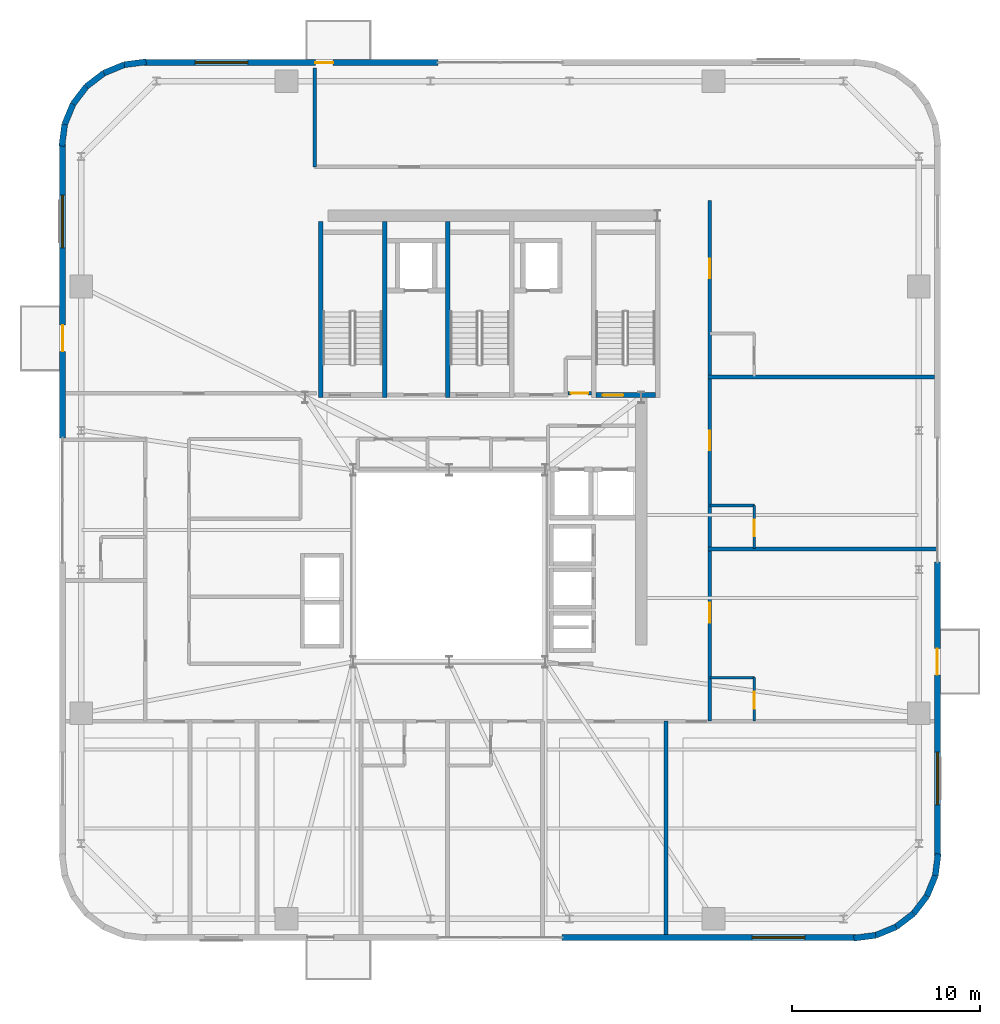
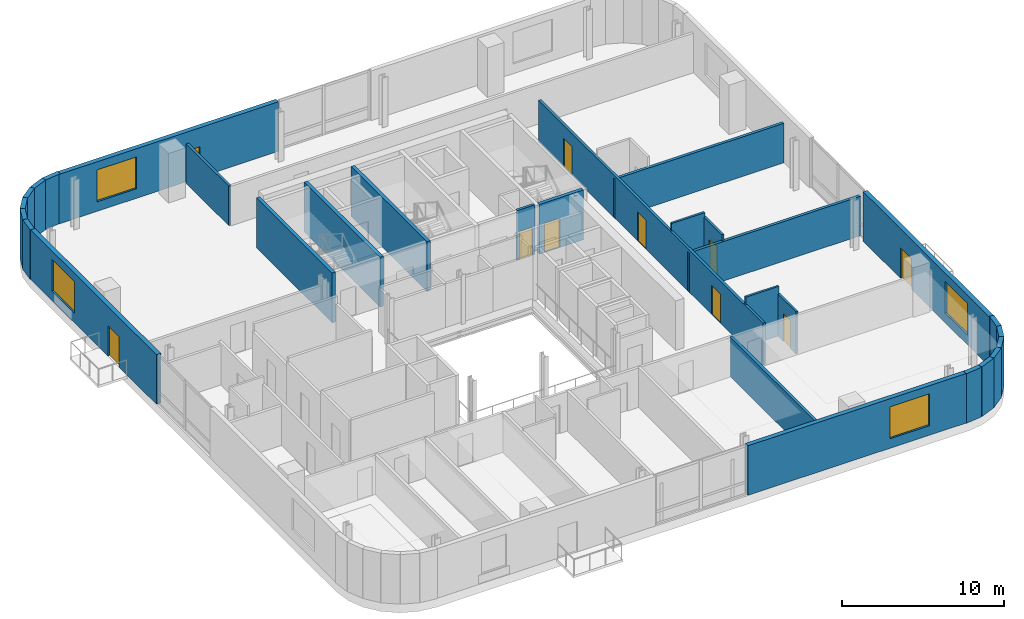
# One storey, part 10 of 15: 30 walls, 10 doors, 4 windows, 14 openings.
"""IFC4 building model written with IfcOpenShell, lengths in metres."""

import ifcopenshell
import ifcopenshell.guid

model = None  # the IFC model being written
_history = None  # IfcOwnerHistory: only IFC2X3 demands one
_inside = {}  # id of a spatial element -> (the spatial element, [elements in it])
_under = {}  # id of a project, library or spatial element -> (it, [spatial elements below it])
_declared = {}  # id of a project -> (the project, [libraries it declares])
_typed = {}  # id of a type object -> (the type object, [elements of that type])
_made_of = {}  # id of a material, layer set ... -> (it, [elements and type objects made of it])


def new_model(schema):
    """Start an empty IFC model of exactly this schema.

    Asked for "IFC4X3", IfcOpenShell would pick the latest addendum, in which some entities
    have other attributes; the version numbers below select the first issue.
    IFC2X3 requires an IfcOwnerHistory on every rooted entity: one is made here for all.
    """
    global model, _history
    if schema == "IFC4X3":
        model = ifcopenshell.file(schema_version=(4, 3, 0, 0))
    else:
        model = ifcopenshell.file(schema=schema)
    _inside.clear()
    _under.clear()
    _declared.clear()
    _typed.clear()
    _made_of.clear()
    _history = None
    if model.schema == "IFC2X3":
        org = make("IfcOrganization", Name="unknown")
        user = make(
            "IfcPersonAndOrganization",
            ThePerson=make("IfcPerson", FamilyName="unknown"),
            TheOrganization=org,
        )
        app = make(
            "IfcApplication",
            ApplicationDeveloper=org,
            Version="unknown",
            ApplicationFullName="unknown",
            ApplicationIdentifier="unknown",
        )
        _history = make(
            "IfcOwnerHistory",
            OwningUser=user,
            OwningApplication=app,
            ChangeAction="ADDED",
            CreationDate=0,
        )
    return model


def make(cls, **values):
    """One entity of the class cls with the attributes given. An attribute that is None is left unset."""
    return model.create_entity(
        cls, **{name: value for name, value in values.items() if value is not None}
    )


def rooted(cls, **values):
    """An entity with a GlobalId (a new one), such as an element, a storey or a relation."""
    return make(cls, GlobalId=ifcopenshell.guid.new(), OwnerHistory=_history, **values)


def si_unit(unit_type, name, prefix=None):
    """IfcSIUnit, for example si_unit("LENGTHUNIT", "METRE", prefix="MILLI")."""
    return make("IfcSIUnit", UnitType=unit_type, Prefix=prefix, Name=name)


def assignment(units):
    """IfcUnitAssignment: the units of a project."""
    return None if units is None else make("IfcUnitAssignment", Units=units)


def point(xyz):
    """IfcCartesianPoint."""
    return None if xyz is None else make("IfcCartesianPoint", Coordinates=xyz)


def direction(xyz):
    """IfcDirection."""
    return None if xyz is None else make("IfcDirection", DirectionRatios=xyz)


def frame(location, z_axis=None, x_axis=None):
    """IfcAxis2Placement3D, a coordinate frame: its origin and axes. An axis left out is left unset."""
    return make(
        "IfcAxis2Placement3D",
        Location=point(location),
        Axis=direction(z_axis),
        RefDirection=direction(x_axis),
    )


def frame_2d(location, x_axis=None):
    """IfcAxis2Placement2D, a coordinate frame in the plane: its origin and x axis."""
    return make(
        "IfcAxis2Placement2D", Location=point(location), RefDirection=direction(x_axis)
    )


def origin():
    """The frame at (0, 0, 0) with its axes left unset."""
    return frame((0.0, 0.0, 0.0))


def place(relative_to, where):
    """IfcLocalPlacement: puts the frame where relative to a parent placement (None: the world)."""
    return make(
        "IfcLocalPlacement", PlacementRelTo=relative_to, RelativePlacement=where
    )


def context(
    kind, dimensions, precision=None, world=None, true_north=None, identifier=None
):
    """IfcGeometricRepresentationContext, for example the 3D "Model" context."""
    return make(
        "IfcGeometricRepresentationContext",
        ContextIdentifier=identifier,
        ContextType=kind,
        CoordinateSpaceDimension=dimensions,
        Precision=precision,
        WorldCoordinateSystem=world,
        TrueNorth=true_north,
    )


def subcontext(parent, identifier, kind, view, scale=None):
    """IfcGeometricRepresentationSubContext, for example "Body" below "Model"."""
    return make(
        "IfcGeometricRepresentationSubContext",
        ContextIdentifier=identifier,
        ContextType=kind,
        ParentContext=parent,
        TargetScale=scale,
        TargetView=view,
    )


def project(units=None, contexts=None):
    """IfcProject with its units and contexts."""
    return rooted(
        "IfcProject",
        Name="project",
        RepresentationContexts=contexts,
        UnitsInContext=assignment(units),
    )


def spatial(cls, under=None, at=None, **own):
    """A site, building, storey or space (cls), placed at a placement, below another one or the project."""
    s = rooted(cls, ObjectPlacement=at, **own)
    if under is not None:
        _under.setdefault(under.id(), (under, []))[1].append(s)
    return s


def profile(cls, at=None, kind="AREA", **sizes):
    """A parametric profile (cls). Its sizes go by their IFC names, for example OverallWidth=200.0."""
    return make(cls, ProfileType=kind, Position=at, **sizes)


def rectangle(**sizes):
    """IfcRectangleProfileDef."""
    return profile("IfcRectangleProfileDef", **sizes)


def extrude(swept, where, along, depth):
    """IfcExtrudedAreaSolid: the profile swept, set in the frame where, extruded along a direction by depth."""
    return make(
        "IfcExtrudedAreaSolid",
        SweptArea=swept,
        Position=where,
        ExtrudedDirection=direction(along),
        Depth=depth,
    )


def shape(context_of_items, identifier, shape_type, items):
    """IfcShapeRepresentation: the items that make up one representation, for example the "Body"."""
    return make(
        "IfcShapeRepresentation",
        ContextOfItems=context_of_items,
        RepresentationIdentifier=identifier,
        RepresentationType=shape_type,
        Items=items,
    )


def source(mapping_origin, context_of_items, identifier, shape_type, items):
    """IfcRepresentationMap: a shape defined once, which mapped items show again and again."""
    return make(
        "IfcRepresentationMap",
        MappingOrigin=mapping_origin,
        MappedRepresentation=shape(context_of_items, identifier, shape_type, items),
    )


def transform(
    local_origin,
    x_axis=None,
    y_axis=None,
    z_axis=None,
    scale=None,
    scale2=None,
    scale3=None,
    uniform=True,
):
    """IfcCartesianTransformationOperator3D, or its non-uniform kind. x_axis, y_axis, z_axis: its Axis1, 2, 3."""
    if uniform:
        return make(
            "IfcCartesianTransformationOperator3D",
            Axis1=direction(x_axis),
            Axis2=direction(y_axis),
            LocalOrigin=point(local_origin),
            Scale=scale,
            Axis3=direction(z_axis),
        )
    return make(
        "IfcCartesianTransformationOperator3DnonUniform",
        Axis1=direction(x_axis),
        Axis2=direction(y_axis),
        LocalOrigin=point(local_origin),
        Scale=scale,
        Axis3=direction(z_axis),
        Scale2=scale2,
        Scale3=scale3,
    )


def mapped(mapping_source, mapping_target):
    """IfcMappedItem: shows the shape of a source again, moved by a transform."""
    return make(
        "IfcMappedItem", MappingSource=mapping_source, MappingTarget=mapping_target
    )


def material(Name=None, Category=None):
    """IfcMaterial."""
    return make("IfcMaterial", Name=Name, Category=Category)


def layer(
    of_material, thickness, ventilated=None, Name=None, Category=None, Priority=None
):
    """IfcMaterialLayer: one layer of a wall or slab, of a material (None: an air gap)."""
    return make(
        "IfcMaterialLayer",
        Material=of_material,
        LayerThickness=thickness,
        IsVentilated=ventilated,
        Name=Name,
        Category=Category,
        Priority=Priority,
    )


def layer_set(layers, Name=None):
    """IfcMaterialLayerSet."""
    return make("IfcMaterialLayerSet", MaterialLayers=layers, LayerSetName=Name)


def made_of(thing, what):
    """Note that an element or type object is made of a material, layer set ...; save() writes the relation."""
    if what is not None:
        _made_of.setdefault(what.id(), (what, []))[1].append(thing)
    return thing


def type_object(cls, material=None, **own):
    """A type object (cls), such as IfcWallType, which elements share."""
    return made_of(rooted(cls, **own), material)


def element(
    cls,
    number,
    at=None,
    inside=None,
    cuts=None,
    type_object=None,
    material=None,
    context=None,
    identifier="Body",
    shape_type=None,
    held_by="IfcProductDefinitionShape",
    body=None,
    shapes=None,
    **own,
):
    """One element of the class cls, such as IfcWall. Its Tag is "e" and its number.

    at: its placement. inside: the storey or other place that contains it. cuts: it is an
    opening in that element (IfcRelVoidsElement). A single representation is given by context,
    identifier, shape_type and body (its items); several are given by shapes. held_by: the class
    of the entity that holds the representations. save() writes the other relations.
    """
    e = rooted(cls, Tag="e%d" % number, ObjectPlacement=at, **own)
    if body is not None:
        shapes = [shape(context, identifier, shape_type, body)]
    if shapes is not None:
        e.Representation = make(held_by, Representations=shapes)
    if inside is not None:
        _inside.setdefault(inside.id(), (inside, []))[1].append(e)
    if cuts is not None:
        rooted(
            "IfcRelVoidsElement", RelatingBuildingElement=cuts, RelatedOpeningElement=e
        )
    if type_object is not None:
        _typed.setdefault(type_object.id(), (type_object, []))[1].append(e)
    return made_of(e, material)


def fill(opening, filler):
    """IfcRelFillsElement: the door or window that sits in an opening."""
    return rooted(
        "IfcRelFillsElement",
        RelatingOpeningElement=opening,
        RelatedBuildingElement=filler,
    )


def aggregate(whole, parts):
    """IfcRelAggregates: a whole, such as a stair, and the parts it consists of."""
    return rooted("IfcRelAggregates", RelatingObject=whole, RelatedObjects=parts)


def save(model, path):
    """Write the relations noted so far, then the file.

    IfcRelAggregates (storeys below a building ...), IfcRelContainedInSpatialStructure (elements
    in a storey), IfcRelDefinesByType, IfcRelAssociatesMaterial and IfcRelDeclares: one each for
    every whole, place, type object, material and project.
    """
    for whole, parts in _under.values():
        aggregate(whole, parts)
    for where, things in _inside.values():
        rooted(
            "IfcRelContainedInSpatialStructure",
            RelatedElements=things,
            RelatingStructure=where,
        )
    for kind, things in _typed.values():
        rooted("IfcRelDefinesByType", RelatedObjects=things, RelatingType=kind)
    for what, things in _made_of.values():
        rooted("IfcRelAssociatesMaterial", RelatedObjects=things, RelatingMaterial=what)
    for by, libraries in _declared.values():
        rooted("IfcRelDeclares", RelatingContext=by, RelatedDefinitions=libraries)
    model.write(path)


model = new_model("IFC4")

# Units and contexts
model_context = context("Model", 3, precision=1e-05, world=origin(), true_north=direction((0.0, 1.0)))
body_context = subcontext(model_context, "Body", "Model", "MODEL_VIEW")
ifc_project = project(units=[si_unit("LENGTHUNIT", "METRE"), si_unit("AREAUNIT", "SQUARE_METRE"), si_unit("VOLUMEUNIT", "CUBIC_METRE"), si_unit("PLANEANGLEUNIT", "RADIAN"), si_unit("MASSUNIT", "GRAM", prefix="KILO")], contexts=[model_context])

# Site, building, storey
site_placement = place(None, origin())
site = spatial("IfcSite", under=ifc_project, at=site_placement, CompositionType="ELEMENT")
building_placement = place(site_placement, origin())
building = spatial("IfcBuilding", under=site, at=building_placement, Name="Vardaveli Station Tower", CompositionType="ELEMENT")
storey_placement = place(building_placement, frame((0.0, 0.0, 242.699951171875)))
storey = spatial("IfcBuildingStorey", under=building, at=storey_placement, Name="L62", CompositionType="ELEMENT", Elevation=242.699951171875)

# Wall, opening, window
ifc_material_1 = material(Name="Precast concrete C45/55", Category="concrete")
ifc_layer_1 = layer(ifc_material_1, 0.320068359375, Name="Precast concrete C45/55")
ifc_layer_set_1 = layer_set([ifc_layer_1], Name="Precast concrete C45/55")
wall_type_1 = type_object("IfcWallType", Name="WAL-EXT-STONE-320", PredefinedType="SOLIDWALL", material=ifc_layer_set_1)
shared_shape_1 = source(origin(), body_context, "Body", "SweptSolid", [
    extrude(rectangle(XDim=15.599853515625, YDim=0.320068359375, at=frame_2d((7.7998046875, 0.0))), origin(), (0.0, 0.0, 1.0), 3.72998046875),
])
wall_1_placement = place(storey_placement, frame((42.300048828125, 1.9599609375, 0.0), z_axis=(0.0, 0.0, 1.0), x_axis=(1.0, 0.0, 0.0)))
wall_1 = element("IfcWall", 1, at=wall_1_placement, inside=storey, type_object=wall_type_1, Name="EW-L62-S2", PredefinedType="SOLIDWALL", context=body_context, shape_type="MappedRepresentation", body=[
    mapped(shared_shape_1, transform((0.0, 0.0, 0.0), scale=1.0)),
])
shared_shape_2 = source(origin(), body_context, "Body", "SweptSolid", [
    extrude(rectangle(XDim=2.800048828125, YDim=2.39990234375, at=frame_2d((1.39990234375, 1.199951171875))), frame((0.0, 0.169921875, 0.0), z_axis=(0.0, -1.0, 0.0), x_axis=(1.0, 0.0, 0.0)), (0.0, 0.0, 1.0), 0.340087890625),
])
opening_1_placement = place(wall_1_placement, frame((10.094970703125, 0.0, 0.719970703125)))
opening_1 = element("IfcOpeningElement", 2, at=opening_1_placement, cuts=wall_1, Name="Opening W-04", PredefinedType="OPENING", context=body_context, shape_type="MappedRepresentation", body=[
    mapped(shared_shape_2, transform((0.0, 0.0, 0.0), scale=1.0)),
])
ifc_material_2 = material(Name="Low-E solar-control glass", Category="glass")
window_type = type_object("IfcWindowType", Name="WIN-SUITE-2800x2400", PartitioningType="SINGLE_PANEL", PredefinedType="WINDOW", material=ifc_material_2)
shared_shape_3 = source(origin(), body_context, "Body", "SweptSolid", [
    extrude(rectangle(XDim=2.800048828125, YDim=2.39990234375, at=frame_2d((1.39990234375, 1.199951171875))), frame((0.0, 0.030029296875, 0.0), z_axis=(0.0, -1.0, 0.0), x_axis=(1.0, 0.0, 0.0)), (0.0, 0.0, 1.0), 0.06005859375),
])
window_1_placement = place(opening_1_placement, origin())
window_1 = element("IfcWindow", 3, at=window_1_placement, inside=storey, type_object=window_type, Name="WN-L62-S2", OverallHeight=2.39990234375, OverallWidth=2.800048828125, PartitioningType="SINGLE_PANEL", PredefinedType="WINDOW", context=body_context, shape_type="MappedRepresentation", body=[
    mapped(shared_shape_3, transform((0.0, 0.0, 0.0), scale=1.0)),
])
fill(opening_1, window_1)

# Wall, openings, window, door
wall_2_placement = place(storey_placement, frame((35.699951171875, 48.43994140625, 0.0), z_axis=(0.0, 0.0, 1.0), x_axis=(-1.0, 0.0, 0.0)))
wall_2 = element("IfcWall", 4, at=wall_2_placement, inside=storey, type_object=wall_type_1, Name="EW-L62-N2", PredefinedType="SOLIDWALL", context=body_context, shape_type="MappedRepresentation", body=[
    mapped(shared_shape_1, transform((0.0, 0.0, 0.0), scale=1.0)),
])
shared_shape_4 = source(origin(), body_context, "Body", "SweptSolid", [
    extrude(rectangle(XDim=0.949951171875, YDim=2.300048828125, at=frame_2d((0.47509765625, 1.14990234375))), frame((0.0, 0.169921875, 0.0), z_axis=(0.0, -1.0, 0.0), x_axis=(1.0, 0.0, 0.0)), (0.0, 0.0, 1.0), 0.340087890625),
])
opening_2_placement = place(wall_2_placement, frame((5.564697265625, 0.0, 0.0)))
opening_2 = element("IfcOpeningElement", 5, at=opening_2_placement, cuts=wall_2, Name="Opening D-10", PredefinedType="OPENING", context=body_context, shape_type="MappedRepresentation", body=[
    mapped(shared_shape_4, transform((0.0, 0.0, 0.0), scale=1.0)),
])
opening_3_placement = place(wall_2_placement, frame((10.094970703125, 0.0, 0.719970703125)))
opening_3 = element("IfcOpeningElement", 6, at=opening_3_placement, cuts=wall_2, Name="Opening W-04", PredefinedType="OPENING", context=body_context, shape_type="MappedRepresentation", body=[
    mapped(shared_shape_2, transform((0.0, 0.0, 0.0), scale=1.0)),
])
window_2_placement = place(opening_3_placement, origin())
window_2 = element("IfcWindow", 7, at=window_2_placement, inside=storey, type_object=window_type, Name="WN-L62-N2", OverallHeight=2.39990234375, OverallWidth=2.800048828125, PartitioningType="SINGLE_PANEL", PredefinedType="WINDOW", context=body_context, shape_type="MappedRepresentation", body=[
    mapped(shared_shape_3, transform((0.0, 0.0, 0.0), scale=1.0)),
])
fill(opening_3, window_2)
ifc_material_3 = material(Name="Thermally broken aluminium glass", Category="aluminium")
door_type_1 = type_object("IfcDoorType", Name="DR-LOG-950x2300", OperationType="NOTDEFINED", PredefinedType="DOOR", material=ifc_material_3)
shared_shape_5 = source(origin(), body_context, "Body", "SweptSolid", [
    extrude(rectangle(XDim=0.949951171875, YDim=2.300048828125, at=frame_2d((0.47509765625, 1.14990234375))), frame((0.0, 0.02490234375, 0.0), z_axis=(0.0, -1.0, 0.0), x_axis=(1.0, 0.0, 0.0)), (0.0, 0.0, 1.0), 0.050048828125),
])
door_1_placement = place(opening_2_placement, frame((0.949951171875, 0.0, 0.0), z_axis=(0.0, 0.0, 1.0), x_axis=(-1.0, 0.0, 0.0)))
door_1 = element("IfcDoor", 8, at=door_1_placement, inside=storey, type_object=door_type_1, Name="DLG-L62-N", OperationType="NOTDEFINED", OverallHeight=2.300048828125, OverallWidth=0.949951171875, PredefinedType="DOOR", context=body_context, shape_type="MappedRepresentation", body=[
    mapped(shared_shape_5, transform((0.0, 0.0, 0.0), scale=1.0)),
])
fill(opening_2, door_1)

# Wall, openings, door, window
wall_3_placement = place(storey_placement, frame((62.239990234375, 6.300048828125, 0.0), z_axis=(0.0, 0.0, 1.0), x_axis=(0.0, 1.0, 0.0)))
wall_3 = element("IfcWall", 9, at=wall_3_placement, inside=storey, type_object=wall_type_1, Name="EW-L62-E1", PredefinedType="SOLIDWALL", context=body_context, shape_type="MappedRepresentation", body=[
    mapped(shared_shape_1, transform((0.0, 0.0, 0.0), scale=1.0)),
])
shared_shape_6 = source(origin(), body_context, "Body", "SweptSolid", [
    extrude(rectangle(XDim=1.39990234375, YDim=2.300048828125, at=frame_2d((0.699951171875, 1.14990234375))), frame((0.0, 0.169921875, 0.0), z_axis=(0.0, -1.0, 0.0), x_axis=(1.0, 0.0, 0.0)), (0.0, 0.0, 1.0), 0.340087890625),
])
opening_4_placement = place(wall_3_placement, frame((9.6103515625, 0.0, 0.0)))
opening_4 = element("IfcOpeningElement", 10, at=opening_4_placement, cuts=wall_3, Name="Opening D-09", PredefinedType="OPENING", context=body_context, shape_type="MappedRepresentation", body=[
    mapped(shared_shape_6, transform((0.0, 0.0, 0.0), scale=1.0)),
])
opening_5_placement = place(wall_3_placement, frame((2.705078125, 0.0, 0.719970703125)))
opening_5 = element("IfcOpeningElement", 11, at=opening_5_placement, cuts=wall_3, Name="Opening W-04", PredefinedType="OPENING", context=body_context, shape_type="MappedRepresentation", body=[
    mapped(shared_shape_2, transform((0.0, 0.0, 0.0), scale=1.0)),
])
door_type_2 = type_object("IfcDoorType", Name="DR-LOG-1400x2300", OperationType="DOUBLE_DOOR_SLIDING", PredefinedType="DOOR", material=ifc_material_3)
shared_shape_7 = source(origin(), body_context, "Body", "SweptSolid", [
    extrude(rectangle(XDim=1.39990234375, YDim=2.300048828125, at=frame_2d((0.699951171875, 1.14990234375))), frame((0.0, 0.02490234375, 0.0), z_axis=(0.0, -1.0, 0.0), x_axis=(1.0, 0.0, 0.0)), (0.0, 0.0, 1.0), 0.050048828125),
])
door_2_placement = place(opening_4_placement, frame((1.39990234375, 0.0, 0.0), z_axis=(0.0, 0.0, 1.0), x_axis=(-1.0, 0.0, 0.0)))
door_2 = element("IfcDoor", 12, at=door_2_placement, inside=storey, type_object=door_type_2, Name="DLG-L62-E", OperationType="DOUBLE_DOOR_SLIDING", OverallHeight=2.300048828125, OverallWidth=1.39990234375, PredefinedType="DOOR", context=body_context, shape_type="MappedRepresentation", body=[
    mapped(shared_shape_7, transform((0.0, 0.0, 0.0), scale=1.0)),
])
fill(opening_4, door_2)
window_3_placement = place(opening_5_placement, origin())
window_3 = element("IfcWindow", 13, at=window_3_placement, inside=storey, type_object=window_type, Name="WN-L62-E1", OverallHeight=2.39990234375, OverallWidth=2.800048828125, PartitioningType="SINGLE_PANEL", PredefinedType="WINDOW", context=body_context, shape_type="MappedRepresentation", body=[
    mapped(shared_shape_3, transform((0.0, 0.0, 0.0), scale=1.0)),
])
fill(opening_5, window_3)

shared_shape_8 = source(origin(), body_context, "Body", "SweptSolid", [
    extrude(rectangle(XDim=15.60009765625, YDim=0.320068359375, at=frame_2d((7.800048828125, 0.0))), origin(), (0.0, 0.0, 1.0), 3.72998046875),
])
wall_4_placement = place(storey_placement, frame((15.760009765625, 44.10009765625, 0.0), z_axis=(0.0, 0.0, 1.0), x_axis=(0.0, -1.0, 0.0)))
wall_4 = element("IfcWall", 14, at=wall_4_placement, inside=storey, type_object=wall_type_1, Name="EW-L62-W1", PredefinedType="SOLIDWALL", context=body_context, shape_type="MappedRepresentation", body=[
    mapped(shared_shape_8, transform((0.0, 0.0, 0.0), scale=1.0)),
])
opening_6_placement = place(wall_4_placement, frame((9.6103515625, 0.0, 0.0)))
opening_6 = element("IfcOpeningElement", 15, at=opening_6_placement, cuts=wall_4, Name="Opening D-09", PredefinedType="OPENING", context=body_context, shape_type="MappedRepresentation", body=[
    mapped(shared_shape_6, transform((0.0, 0.0, 0.0), scale=1.0)),
])
opening_7_placement = place(wall_4_placement, frame((2.705078125, 0.0, 0.719970703125)))
opening_7 = element("IfcOpeningElement", 16, at=opening_7_placement, cuts=wall_4, Name="Opening W-04", PredefinedType="OPENING", context=body_context, shape_type="MappedRepresentation", body=[
    mapped(shared_shape_2, transform((0.0, 0.0, 0.0), scale=1.0)),
])
door_3_placement = place(opening_6_placement, frame((1.39990234375, 0.0, 0.0), z_axis=(0.0, 0.0, 1.0), x_axis=(-1.0, 0.0, 0.0)))
door_3 = element("IfcDoor", 17, at=door_3_placement, inside=storey, type_object=door_type_2, Name="DLG-L62-W", OperationType="DOUBLE_DOOR_SLIDING", OverallHeight=2.300048828125, OverallWidth=1.39990234375, PredefinedType="DOOR", context=body_context, shape_type="MappedRepresentation", body=[
    mapped(shared_shape_7, transform((0.0, 0.0, 0.0), scale=1.0)),
])
fill(opening_6, door_3)
window_4_placement = place(opening_7_placement, origin())
window_4 = element("IfcWindow", 18, at=window_4_placement, inside=storey, type_object=window_type, Name="WN-L62-W1", OverallHeight=2.39990234375, OverallWidth=2.800048828125, PartitioningType="SINGLE_PANEL", PredefinedType="WINDOW", context=body_context, shape_type="MappedRepresentation", body=[
    mapped(shared_shape_3, transform((0.0, 0.0, 0.0), scale=1.0)),
])
fill(opening_7, window_4)

# Walls
shared_shape_9 = source(origin(), body_context, "Body", "SweptSolid", [
    extrude(rectangle(XDim=1.170654296875, YDim=0.320068359375, at=frame_2d((0.58544921875, 0.0))), origin(), (0.0, 0.0, 1.0), 3.72998046875),
])
wall_5_placement = place(storey_placement, frame((62.12548828125, 5.23974609375, 0.0), z_axis=(0.0, 0.0, 1.0), x_axis=(0.128269133229, 0.991739395941, 0.0)))
element("IfcWall", 19, at=wall_5_placement, inside=storey, type_object=wall_type_1, Name="EW-L62-CR2-6", PredefinedType="SOLIDWALL", context=body_context, shape_type="MappedRepresentation", body=[
    mapped(shared_shape_9, transform((0.0, 0.0, 0.0), scale=1.0)),
])
shared_shape_10 = source(origin(), body_context, "Body", "SweptSolid", [
    extrude(rectangle(XDim=1.1689453125, YDim=0.320068359375, at=frame_2d((0.58447265625, 0.0))), origin(), (0.0, 0.0, 1.0), 3.72998046875),
])
for number, where, z_axis, x_axis, name in (
    (20, (60.96875, 3.231201171875, 0.0), (0.0, 0.0, 1.0), (0.608387696831, 0.793639975269, 0.0), "EW-L62-CR2-4"),
    (21, (61.679931640625, 4.158935546875, 0.0), (0.0, 0.0, 1.0), (0.381127904695, 0.924522320046, 0.0), "EW-L62-CR2-5"),
    (22, (17.03125, 47.1689453125, 0.0), (0.0, 0.0, 1.0), (-0.608387696831, -0.793639975269, 0.0), "EW-L62-CR4-4"),
):
    element("IfcWall", number, at=place(storey_placement, frame(where, z_axis=z_axis, x_axis=x_axis)), inside=storey, type_object=wall_type_1, Name=name, PredefinedType="SOLIDWALL", context=body_context, shape_type="MappedRepresentation", body=[
        mapped(shared_shape_10, transform((0.0, 0.0, 0.0), scale=1.0)),
    ])
shared_shape_11 = source(origin(), body_context, "Body", "SweptSolid", [
    extrude(rectangle(XDim=1.168701171875, YDim=0.320068359375, at=frame_2d((0.58447265625, 0.0))), origin(), (0.0, 0.0, 1.0), 3.72998046875),
])
for number, where, z_axis, x_axis, name in (
    (23, (60.041259765625, 2.520263671875, 0.0), (0.0, 0.0, 1.0), (0.793663520347, 0.608356981114, 0.0), "EW-L62-CR2-3"),
    (24, (17.958740234375, 47.8798828125, 0.0), (0.0, 0.0, 1.0), (-0.793663520347, -0.608356981114, 0.0), "EW-L62-CR4-3"),
):
    element("IfcWall", number, at=place(storey_placement, frame(where, z_axis=z_axis, x_axis=x_axis)), inside=storey, type_object=wall_type_1, Name=name, PredefinedType="SOLIDWALL", context=body_context, shape_type="MappedRepresentation", body=[
        mapped(shared_shape_11, transform((0.0, 0.0, 0.0), scale=1.0)),
    ])
shared_shape_12 = source(origin(), body_context, "Body", "SweptSolid", [
    extrude(rectangle(XDim=1.16943359375, YDim=0.320068359375, at=frame_2d((0.584716796875, 0.0))), origin(), (0.0, 0.0, 1.0), 3.72998046875),
])
wall_6_placement = place(storey_placement, frame((58.960205078125, 2.074462890625, 0.0), z_axis=(0.0, 0.0, 1.0), x_axis=(0.924479075121, 0.381232789334, 0.0)))
element("IfcWall", 25, at=wall_6_placement, inside=storey, type_object=wall_type_1, Name="EW-L62-CR2-2", PredefinedType="SOLIDWALL", context=body_context, shape_type="MappedRepresentation", body=[
    mapped(shared_shape_12, transform((0.0, 0.0, 0.0), scale=1.0)),
])
shared_shape_13 = source(origin(), body_context, "Body", "SweptSolid", [
    extrude(rectangle(XDim=1.170166015625, YDim=0.320068359375, at=frame_2d((0.5849609375, 0.0))), origin(), (0.0, 0.0, 1.0), 3.72998046875),
])
wall_7_placement = place(storey_placement, frame((57.799560546875, 1.924560546875, 0.0), z_axis=(0.0, 0.0, 1.0), x_axis=(0.991762485493, 0.128090485085, 0.0)))
element("IfcWall", 26, at=wall_7_placement, inside=storey, type_object=wall_type_1, Name="EW-L62-CR2-1", PredefinedType="SOLIDWALL", context=body_context, shape_type="MappedRepresentation", body=[
    mapped(shared_shape_13, transform((0.0, 0.0, 0.0), scale=1.0)),
])
shared_shape_14 = source(origin(), body_context, "Body", "SweptSolid", [
    extrude(rectangle(XDim=1.17041015625, YDim=0.320068359375, at=frame_2d((0.585205078125, 0.0))), origin(), (0.0, 0.0, 1.0), 3.72998046875),
])
for number, where, z_axis, x_axis, name in (
    (27, (20.200439453125, 48.4755859375, 0.0), (0.0, 0.0, 1.0), (-0.991735963317, -0.128295670475, 0.0), "EW-L62-CR4-1"),
    (28, (15.87451171875, 45.16015625, 0.0), (0.0, 0.0, 1.0), (-0.128295670475, -0.991735963317, 0.0), "EW-L62-CR4-6"),
):
    element("IfcWall", number, at=place(storey_placement, frame(where, z_axis=z_axis, x_axis=x_axis)), inside=storey, type_object=wall_type_1, Name=name, PredefinedType="SOLIDWALL", context=body_context, shape_type="MappedRepresentation", body=[
        mapped(shared_shape_14, transform((0.0, 0.0, 0.0), scale=1.0)),
    ])
shared_shape_15 = source(origin(), body_context, "Body", "SweptSolid", [
    extrude(rectangle(XDim=1.169189453125, YDim=0.320068359375, at=frame_2d((0.58447265625, 0.0))), origin(), (0.0, 0.0, 1.0), 3.72998046875),
])
for number, where, z_axis, x_axis, name in (
    (29, (19.039794921875, 48.325439453125, 0.0), (0.0, 0.0, 1.0), (-0.924552646638, -0.381054331552, 0.0), "EW-L62-CR4-2"),
    (30, (16.320068359375, 46.2412109375, 0.0), (0.0, 0.0, 1.0), (-0.381054331552, -0.924552646638, 0.0), "EW-L62-CR4-5"),
):
    element("IfcWall", number, at=place(storey_placement, frame(where, z_axis=z_axis, x_axis=x_axis)), inside=storey, type_object=wall_type_1, Name=name, PredefinedType="SOLIDWALL", context=body_context, shape_type="MappedRepresentation", body=[
        mapped(shared_shape_15, transform((0.0, 0.0, 0.0), scale=1.0)),
    ])
ifc_material_4 = material(Name="Concrete C40/50", Category="concrete")
ifc_layer_2 = layer(ifc_material_4, 0.25, Name="Concrete C40/50")
ifc_layer_set_2 = layer_set([ifc_layer_2], Name="Concrete C40/50")
wall_type_2 = type_object("IfcWallType", Name="WAL-SHAFT-250", PredefinedType="SOLIDWALL", material=ifc_layer_set_2)
shared_shape_16 = source(origin(), body_context, "Body", "SweptSolid", [
    extrude(rectangle(XDim=9.35009765625, YDim=0.25, at=frame_2d((4.675048828125, 0.0))), origin(), (0.0, 0.0, 1.0), 3.75),
])
for number, where, z_axis, x_axis, name in (
    (31, (29.47509765625, 30.64990234375, 0.0), (0.0, 0.0, 1.0), (0.0, 1.0, 0.0), "W-L62-ST-1W"),
    (32, (32.875, 30.64990234375, 0.0), (0.0, 0.0, 1.0), (0.0, 1.0, 0.0), "W-L62-ST-1E"),
    (33, (36.22509765625, 30.64990234375, 0.0), (0.0, 0.0, 1.0), (0.0, 1.0, 0.0), "W-L62-ST-2W"),
):
    element("IfcWall", number, at=place(storey_placement, frame(where, z_axis=z_axis, x_axis=x_axis)), inside=storey, type_object=wall_type_2, Name=name, PredefinedType="SOLIDWALL", context=body_context, shape_type="MappedRepresentation", body=[
        mapped(shared_shape_16, transform((0.0, 0.0, 0.0), scale=1.0)),
    ])

# Wall, opening, door
shared_shape_17 = source(origin(), body_context, "Body", "SweptSolid", [
    extrude(rectangle(XDim=3.14990234375, YDim=0.25, at=frame_2d((1.574951171875, 0.0))), origin(), (0.0, 0.0, 1.0), 3.75),
])
wall_8_placement = place(storey_placement, frame((44.10009765625, 30.77490234375, 0.0), z_axis=(0.0, 0.0, 1.0), x_axis=(1.0, 0.0, 0.0)))
wall_8 = element("IfcWall", 34, at=wall_8_placement, inside=storey, type_object=wall_type_2, Name="W-L62-ST-3S", PredefinedType="SOLIDWALL", context=body_context, shape_type="MappedRepresentation", body=[
    mapped(shared_shape_17, transform((0.0, 0.0, 0.0), scale=1.0)),
])
shared_shape_18 = source(origin(), body_context, "Body", "SweptSolid", [
    extrude(rectangle(XDim=1.10009765625, YDim=2.199951171875, at=frame_2d((0.550048828125, 1.10009765625))), frame((0.0, 0.135009765625, 0.0), z_axis=(0.0, -1.0, 0.0), x_axis=(1.0, 0.0, 0.0)), (0.0, 0.0, 1.0), 0.27001953125),
])
opening_8_placement = place(wall_8_placement, frame((0.35009765625, 0.0, 0.0)))
opening_8 = element("IfcOpeningElement", 35, at=opening_8_placement, cuts=wall_8, Name="Opening D-04", PredefinedType="OPENING", context=body_context, shape_type="MappedRepresentation", body=[
    mapped(shared_shape_18, transform((0.0, 0.0, 0.0), scale=1.0)),
])
ifc_material_5 = material(Name="Steel smokeproof fire doorset", Category="steel")
door_type_3 = type_object("IfcDoorType", Name="DR-ST-1100x2200", OperationType="NOTDEFINED", PredefinedType="DOOR", material=ifc_material_5)
shared_shape_19 = source(origin(), body_context, "Body", "SweptSolid", [
    extrude(rectangle(XDim=1.10009765625, YDim=2.199951171875, at=frame_2d((0.550048828125, 1.10009765625))), frame((0.0, 0.02490234375, 0.0), z_axis=(0.0, -1.0, 0.0), x_axis=(1.0, 0.0, 0.0)), (0.0, 0.0, 1.0), 0.050048828125),
])
door_4_placement = place(opening_8_placement, origin())
door_4 = element("IfcDoor", 36, at=door_4_placement, inside=storey, type_object=door_type_3, Name="DST-3-L62", OperationType="SINGLE_SWING_LEFT", OverallHeight=2.199951171875, OverallWidth=1.10009765625, PredefinedType="DOOR", context=body_context, shape_type="MappedRepresentation", body=[
    mapped(shared_shape_19, transform((0.0, 0.0, 0.0), scale=1.0)),
])
fill(opening_8, door_4)

# Wall, openings, doors
ifc_material_6 = material(Name="Fire-rated gypsum stud partition")
ifc_layer_3 = layer(ifc_material_6, 0.179931640625, Name="Fire-rated gypsum stud partition")
ifc_layer_set_3 = layer_set([ifc_layer_3], Name="Fire-rated gypsum stud partition")
wall_type_3 = type_object("IfcWallType", Name="WAL-CORR-180", PredefinedType="PARTITIONING", material=ifc_layer_set_3)
shared_shape_20 = source(origin(), body_context, "Body", "SweptSolid", [
    extrude(rectangle(XDim=27.650146484375, YDim=0.179931640625, at=frame_2d((13.8251953125, 0.0))), origin(), (0.0, 0.0, 1.0), 3.172119140625),
])
wall_9_placement = place(storey_placement, frame((50.14990234375, 13.449951171875, 0.0), z_axis=(0.0, 0.0, 1.0), x_axis=(0.0, 1.0, 0.0)))
wall_9 = element("IfcWall", 37, at=wall_9_placement, inside=storey, type_object=wall_type_3, Name="W-L62-CE", PredefinedType="PARTITIONING", context=body_context, shape_type="MappedRepresentation", body=[
    mapped(shared_shape_20, transform((0.0, 0.0, 0.0), scale=1.0)),
])
shared_shape_21 = source(origin(), body_context, "Body", "SweptSolid", [
    extrude(rectangle(XDim=1.050048828125, YDim=2.199951171875, at=frame_2d((0.52490234375, 1.10009765625))), frame((0.0, 0.10009765625, 0.0), z_axis=(0.0, -1.0, 0.0), x_axis=(1.0, 0.0, 0.0)), (0.0, 0.0, 1.0), 0.199951171875),
])
opening_9_placement = place(wall_9_placement, frame((5.23681640625, 0.0, 0.0)))
opening_9 = element("IfcOpeningElement", 38, at=opening_9_placement, cuts=wall_9, Name="Opening D-05", PredefinedType="OPENING", context=body_context, shape_type="MappedRepresentation", body=[
    mapped(shared_shape_21, transform((0.0, 0.0, 0.0), scale=1.0)),
])
opening_10_placement = place(wall_9_placement, frame((14.3798828125, 0.0, 0.0)))
opening_10 = element("IfcOpeningElement", 39, at=opening_10_placement, cuts=wall_9, Name="Opening D-05", PredefinedType="OPENING", context=body_context, shape_type="MappedRepresentation", body=[
    mapped(shared_shape_21, transform((0.0, 0.0, 0.0), scale=1.0)),
])
opening_11_placement = place(wall_9_placement, frame((23.523193359375, 0.0, 0.0)))
opening_11 = element("IfcOpeningElement", 40, at=opening_11_placement, cuts=wall_9, Name="Opening D-05", PredefinedType="OPENING", context=body_context, shape_type="MappedRepresentation", body=[
    mapped(shared_shape_21, transform((0.0, 0.0, 0.0), scale=1.0)),
])
ifc_material_7 = material(Name="Walnut veneer acoustic fire door")
door_type_4 = type_object("IfcDoorType", Name="DR-SUITE-1050x2200", OperationType="NOTDEFINED", PredefinedType="DOOR", material=ifc_material_7)
shared_shape_22 = source(origin(), body_context, "Body", "SweptSolid", [
    extrude(rectangle(XDim=1.050048828125, YDim=2.199951171875, at=frame_2d((0.52490234375, 1.10009765625))), frame((0.0, 0.02490234375, 0.0), z_axis=(0.0, -1.0, 0.0), x_axis=(1.0, 0.0, 0.0)), (0.0, 0.0, 1.0), 0.050048828125),
])
door_5_placement = place(opening_9_placement, origin())
door_5 = element("IfcDoor", 41, at=door_5_placement, inside=storey, type_object=door_type_4, Name="D-L62-GE1", OperationType="SINGLE_SWING_LEFT", OverallHeight=2.199951171875, OverallWidth=1.050048828125, PredefinedType="DOOR", context=body_context, shape_type="MappedRepresentation", body=[
    mapped(shared_shape_22, transform((0.0, 0.0, 0.0), scale=1.0)),
])
fill(opening_9, door_5)
door_6_placement = place(opening_10_placement, origin())
door_6 = element("IfcDoor", 42, at=door_6_placement, inside=storey, type_object=door_type_4, Name="D-L62-GE2", OperationType="SINGLE_SWING_RIGHT", OverallHeight=2.199951171875, OverallWidth=1.050048828125, PredefinedType="DOOR", context=body_context, shape_type="MappedRepresentation", body=[
    mapped(shared_shape_22, transform((0.0, 0.0, 0.0), scale=1.0)),
])
fill(opening_10, door_6)
door_7_placement = place(opening_11_placement, origin())
door_7 = element("IfcDoor", 43, at=door_7_placement, inside=storey, type_object=door_type_4, Name="D-L62-GE3", OperationType="SINGLE_SWING_LEFT", OverallHeight=2.199951171875, OverallWidth=1.050048828125, PredefinedType="DOOR", context=body_context, shape_type="MappedRepresentation", body=[
    mapped(shared_shape_22, transform((0.0, 0.0, 0.0), scale=1.0)),
])
fill(opening_11, door_7)

# Wall, opening, door
ifc_material_8 = material(Name="Moisture-resistant stud partition")
ifc_layer_4 = layer(ifc_material_8, 0.14990234375, Name="Moisture-resistant stud partition")
ifc_layer_set_4 = layer_set([ifc_layer_4], Name="Moisture-resistant stud partition")
wall_type_4 = type_object("IfcWallType", Name="WAL-WET-150", PredefinedType="PARTITIONING", material=ifc_layer_set_4)
shared_shape_23 = source(origin(), body_context, "Body", "SweptSolid", [
    extrude(rectangle(XDim=2.2900390625, YDim=0.14990234375, at=frame_2d((1.14501953125, 0.0))), origin(), (0.0, 0.0, 1.0), 3.172119140625),
])
wall_10_placement = place(storey_placement, frame((52.510009765625, 13.469970703125, 0.0), z_axis=(0.0, 0.0, 1.0), x_axis=(0.0, 1.0, 0.0)))
wall_10 = element("IfcWall", 44, at=wall_10_placement, inside=storey, type_object=wall_type_4, Name="W-L62-BE1-E", PredefinedType="PARTITIONING", context=body_context, shape_type="MappedRepresentation", body=[
    mapped(shared_shape_23, transform((0.0, 0.0, 0.0), scale=1.0)),
])
shared_shape_24 = source(origin(), body_context, "Body", "SweptSolid", [
    extrude(rectangle(XDim=0.89990234375, YDim=2.10009765625, at=frame_2d((0.449951171875, 1.050048828125))), frame((0.0, 0.0849609375, 0.0), z_axis=(0.0, -1.0, 0.0), x_axis=(1.0, 0.0, 0.0)), (0.0, 0.0, 1.0), 0.169921875),
])
opening_12_placement = place(wall_10_placement, frame((0.64990234375, 0.0, 0.0)))
opening_12 = element("IfcOpeningElement", 45, at=opening_12_placement, cuts=wall_10, Name="Opening D-08", PredefinedType="OPENING", context=body_context, shape_type="MappedRepresentation", body=[
    mapped(shared_shape_24, transform((0.0, 0.0, 0.0), scale=1.0)),
])
ifc_material_9 = material(Name="Moisture-resistant oak door")
door_type_5 = type_object("IfcDoorType", Name="DR-BATH-900x2100", OperationType="NOTDEFINED", PredefinedType="DOOR", material=ifc_material_9)
shared_shape_25 = source(origin(), body_context, "Body", "SweptSolid", [
    extrude(rectangle(XDim=0.89990234375, YDim=2.10009765625, at=frame_2d((0.449951171875, 1.050048828125))), frame((0.0, 0.02490234375, 0.0), z_axis=(0.0, -1.0, 0.0), x_axis=(1.0, 0.0, 0.0)), (0.0, 0.0, 1.0), 0.050048828125),
])
door_8_placement = place(opening_12_placement, origin())
door_8 = element("IfcDoor", 46, at=door_8_placement, inside=storey, type_object=door_type_5, Name="D-L62-BE1", OperationType="SINGLE_SWING_LEFT", OverallHeight=2.10009765625, OverallWidth=0.89990234375, PredefinedType="DOOR", context=body_context, shape_type="MappedRepresentation", body=[
    mapped(shared_shape_25, transform((0.0, 0.0, 0.0), scale=1.0)),
])
fill(opening_12, door_8)

shared_shape_26 = source(origin(), body_context, "Body", "SweptSolid", [
    extrude(rectangle(XDim=2.2900390625, YDim=0.14990234375, at=frame_2d((1.14501953125, 0.0))), origin(), (0.0, 0.0, 1.0), 3.422119140625),
])
wall_11_placement = place(storey_placement, frame((52.510009765625, 22.613037109375, 0.0), z_axis=(0.0, 0.0, 1.0), x_axis=(0.0, 1.0, 0.0)))
wall_11 = element("IfcWall", 47, at=wall_11_placement, inside=storey, type_object=wall_type_4, Name="W-L62-BE2-E", PredefinedType="PARTITIONING", context=body_context, shape_type="MappedRepresentation", body=[
    mapped(shared_shape_26, transform((0.0, 0.0, 0.0), scale=1.0)),
])
opening_13_placement = place(wall_11_placement, frame((0.64990234375, 0.0, 0.0)))
opening_13 = element("IfcOpeningElement", 48, at=opening_13_placement, cuts=wall_11, Name="Opening D-08", PredefinedType="OPENING", context=body_context, shape_type="MappedRepresentation", body=[
    mapped(shared_shape_24, transform((0.0, 0.0, 0.0), scale=1.0)),
])
door_9_placement = place(opening_13_placement, origin())
door_9 = element("IfcDoor", 49, at=door_9_placement, inside=storey, type_object=door_type_5, Name="D-L62-BE2", OperationType="SINGLE_SWING_RIGHT", OverallHeight=2.10009765625, OverallWidth=0.89990234375, PredefinedType="DOOR", context=body_context, shape_type="MappedRepresentation", body=[
    mapped(shared_shape_25, transform((0.0, 0.0, 0.0), scale=1.0)),
])
fill(opening_13, door_9)

shared_shape_27 = source(origin(), body_context, "Body", "SweptSolid", [
    extrude(rectangle(XDim=1.247802734375, YDim=0.179931640625, at=frame_2d((0.6240234375, 0.0))), origin(), (0.0, 0.0, 1.0), 3.72998046875),
])
wall_12_placement = place(storey_placement, frame((42.60009765625, 30.8798828125, 0.0), z_axis=(0.0, 0.0, 1.0), x_axis=(1.0, 0.0, 0.0)))
wall_12 = element("IfcWall", 50, at=wall_12_placement, inside=storey, type_object=wall_type_3, Name="W-L62-CBS2A-S", PredefinedType="PARTITIONING", context=body_context, shape_type="MappedRepresentation", body=[
    mapped(shared_shape_27, transform((0.0, 0.0, 0.0), scale=1.0)),
])
shared_shape_28 = source(origin(), body_context, "Body", "SweptSolid", [
    extrude(rectangle(XDim=0.919921875, YDim=2.10009765625, at=frame_2d((0.4599609375, 1.050048828125))), frame((0.0, 0.10009765625, 0.0), z_axis=(0.0, -1.0, 0.0), x_axis=(1.0, 0.0, 0.0)), (0.0, 0.0, 1.0), 0.199951171875),
])
opening_14_placement = place(wall_12_placement, frame((0.1640625, 0.0, 0.0)))
opening_14 = element("IfcOpeningElement", 51, at=opening_14_placement, cuts=wall_12, Name="Opening D-07", PredefinedType="OPENING", context=body_context, shape_type="MappedRepresentation", body=[
    mapped(shared_shape_28, transform((0.0, 0.0, 0.0), scale=1.0)),
])
ifc_material_10 = material(Name="Moisture-resistant hardwood door", Category="wood")
door_type_6 = type_object("IfcDoorType", Name="DR-WC-920x2100", OperationType="NOTDEFINED", PredefinedType="DOOR", material=ifc_material_10)
shared_shape_29 = source(origin(), body_context, "Body", "SweptSolid", [
    extrude(rectangle(XDim=0.919921875, YDim=2.10009765625, at=frame_2d((0.4599609375, 1.050048828125))), frame((0.0, 0.02490234375, 0.0), z_axis=(0.0, -1.0, 0.0), x_axis=(1.0, 0.0, 0.0)), (0.0, 0.0, 1.0), 0.050048828125),
])
door_10_placement = place(opening_14_placement, origin())
door_10 = element("IfcDoor", 52, at=door_10_placement, inside=storey, type_object=door_type_6, Name="D-L62-CBS1", OperationType="SINGLE_SWING_LEFT", OverallHeight=2.10009765625, OverallWidth=0.919921875, PredefinedType="DOOR", context=body_context, shape_type="MappedRepresentation", body=[
    mapped(shared_shape_29, transform((0.0, 0.0, 0.0), scale=1.0)),
])
fill(opening_14, door_10)

# Walls
ifc_material_11 = material(Name="Acoustic twin-stud gypsum partition")
ifc_layer_5 = layer(ifc_material_11, 0.199951171875, Name="Acoustic twin-stud gypsum partition")
ifc_layer_set_5 = layer_set([ifc_layer_5], Name="Acoustic twin-stud gypsum partition")
wall_type_5 = type_object("IfcWallType", Name="WAL-PARTY-200", PredefinedType="PARTITIONING", material=ifc_layer_set_5)
shared_shape_30 = source(origin(), body_context, "Body", "SweptSolid", [
    extrude(rectangle(XDim=12.219970703125, YDim=0.199951171875, at=frame_2d((6.10986328125, 0.0))), origin(), (0.0, 0.0, 1.0), 2.97216796875),
])
wall_13_placement = place(storey_placement, frame((50.050048828125, 22.593017578125, 0.0), z_axis=(0.0, 0.0, 1.0), x_axis=(1.0, 0.0, 0.0)))
element("IfcWall", 53, at=wall_13_placement, inside=storey, type_object=wall_type_5, Name="W-L62-PE1", PredefinedType="PARTITIONING", context=body_context, shape_type="MappedRepresentation", body=[
    mapped(shared_shape_30, transform((0.0, 0.0, 0.0), scale=1.0)),
])
shared_shape_31 = source(origin(), body_context, "Body", "SweptSolid", [
    extrude(rectangle(XDim=12.02783203125, YDim=0.199951171875, at=frame_2d((6.013916015625, 0.0))), origin(), (0.0, 0.0, 1.0), 2.97216796875),
])
wall_14_placement = place(storey_placement, frame((50.050048828125, 31.737060546875, 0.0), z_axis=(0.0, 0.0, 1.0), x_axis=(1.0, 0.0, 0.0)))
element("IfcWall", 54, at=wall_14_placement, inside=storey, type_object=wall_type_5, Name="W-L62-PE2", PredefinedType="PARTITIONING", context=body_context, shape_type="MappedRepresentation", body=[
    mapped(shared_shape_31, transform((0.0, 0.0, 0.0), scale=1.0)),
])
shared_shape_32 = source(origin(), body_context, "Body", "SweptSolid", [
    extrude(rectangle(XDim=11.327880859375, YDim=0.199951171875, at=frame_2d((5.6640625, 0.0))), origin(), (0.0, 0.0, 1.0), 2.97216796875),
])
wall_15_placement = place(storey_placement, frame((47.820068359375, 2.1220703125, 0.0), z_axis=(0.0, 0.0, 1.0), x_axis=(0.0, 1.0, 0.0)))
element("IfcWall", 55, at=wall_15_placement, inside=storey, type_object=wall_type_5, Name="W-L62-PS6", PredefinedType="PARTITIONING", context=body_context, shape_type="MappedRepresentation", body=[
    mapped(shared_shape_32, transform((0.0, 0.0, 0.0), scale=1.0)),
])
shared_shape_33 = source(origin(), body_context, "Body", "SweptSolid", [
    extrude(rectangle(XDim=5.239990234375, YDim=0.179931640625, at=frame_2d((2.6201171875, 0.0))), origin(), (0.0, 0.0, 1.0), 2.97216796875),
])
wall_16_placement = place(storey_placement, frame((29.14990234375, 42.89990234375, 0.0), z_axis=(0.0, 0.0, 1.0), x_axis=(0.0, 1.0, 0.0)))
element("IfcWall", 56, at=wall_16_placement, inside=storey, type_object=wall_type_3, Name="W-L62-NPW", PredefinedType="PARTITIONING", context=body_context, shape_type="MappedRepresentation", body=[
    mapped(shared_shape_33, transform((0.0, 0.0, 0.0), scale=1.0)),
])
shared_shape_34 = source(origin(), body_context, "Body", "SweptSolid", [
    extrude(rectangle(XDim=2.360107421875, YDim=0.14990234375, at=frame_2d((1.18017578125, 0.0))), origin(), (0.0, 0.0, 1.0), 3.72998046875),
])
for number, where, z_axis, x_axis, name in (
    (57, (50.14990234375, 15.760009765625, 0.0), (0.0, 0.0, 1.0), (1.0, 0.0, 0.0), "W-L62-BE1-N"),
    (58, (50.14990234375, 24.903076171875, 0.0), (0.0, 0.0, 1.0), (1.0, 0.0, 0.0), "W-L62-BE2-N"),
):
    element("IfcWall", number, at=place(storey_placement, frame(where, z_axis=z_axis, x_axis=x_axis)), inside=storey, type_object=wall_type_4, Name=name, PredefinedType="PARTITIONING", context=body_context, shape_type="MappedRepresentation", body=[
        mapped(shared_shape_34, transform((0.0, 0.0, 0.0), scale=1.0)),
    ])

save(model, "model.ifc")
